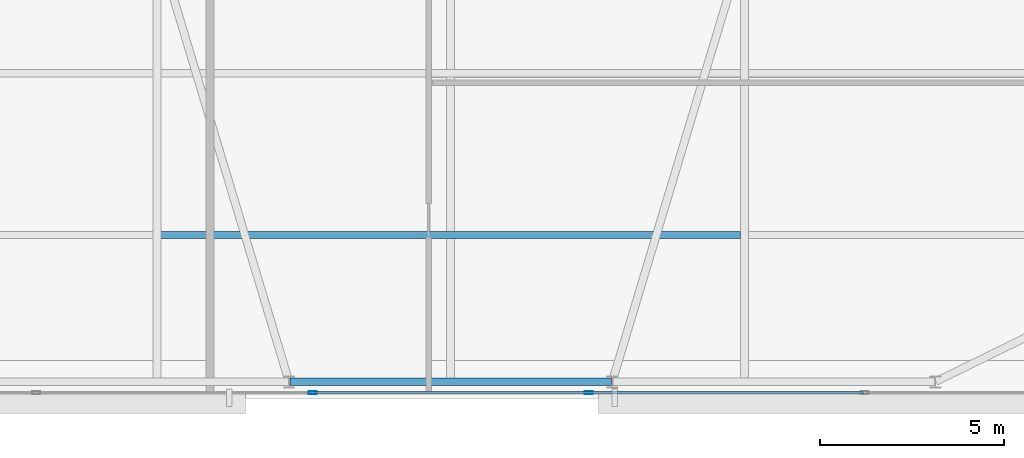
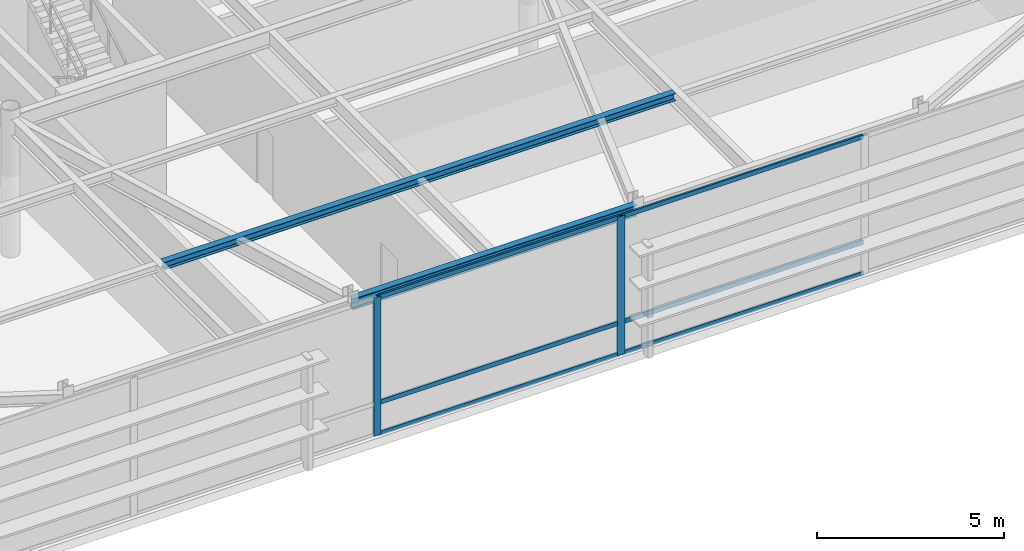
# One storey, part 8 of 21: 8 members, 2 beams, 1 element without a shape of its own.
"""IFC4 building model written with IfcOpenShell, lengths in metres."""

from ifc_helpers import new_model, si_unit, direction, frame, origin, origin_2d, place, context, subcontext, project, spatial, hollow_rectangle, i_section, extrude, source, transform, mapped, material, layer, layer_set, material_profile, profile_set, type_object, type_shapes, element, aggregate, save


model = new_model("IFC4")

# Units and contexts
model_context = context("Model", 3, precision=1e-05, world=origin(), true_north=direction((0.0, 1.0)))
body_context = subcontext(model_context, "Body", "Model", "MODEL_VIEW")
ifc_project = project(units=[si_unit("LENGTHUNIT", "METRE"), si_unit("AREAUNIT", "SQUARE_METRE"), si_unit("VOLUMEUNIT", "CUBIC_METRE"), si_unit("PLANEANGLEUNIT", "RADIAN"), si_unit("MASSUNIT", "GRAM", prefix="KILO")], contexts=[model_context])

# Site, building, storey
site_placement = place(None, origin())
site = spatial("IfcSite", under=ifc_project, at=site_placement, CompositionType="ELEMENT")
building_placement = place(site_placement, origin())
building = spatial("IfcBuilding", under=site, at=building_placement, Name="Varnel Quay Broadcast Tower", CompositionType="ELEMENT")
storey_placement = place(building_placement, frame((0.0, 0.0, 300.199951171875)))
storey = spatial("IfcBuildingStorey", under=building, at=storey_placement, Name="L75", CompositionType="ELEMENT", Elevation=300.199951171875)

# Beams
ifc_material_1 = material(Name="Structural Steel CSA G40.21 350W", Category="steel")
ifc_material_profile_1 = material_profile(ifc_material_1, i_section(OverallWidth=0.205078125, OverallDepth=0.35400390625, WebThickness=0.009521484375, FlangeThickness=0.016845703125, FilletRadius=0.012939453125, at=origin_2d()), Name="W360X79")
ifc_profile_set_1 = profile_set([ifc_material_profile_1], Name="Structural Steel CSA G40.21 350W")
beam_type_1 = type_object("IfcBeamType", Name="Beam_W360X79", PredefinedType="SPANDREL", material=ifc_profile_set_1)
shared_shape_1 = source(origin(), body_context, "Body", "SweptSolid", [
    extrude(i_section(OverallWidth=0.205078125, OverallDepth=0.35400390625, WebThickness=0.009521484375, FlangeThickness=0.016845703125, FilletRadius=0.012939453125, at=origin_2d()), origin(), (0.0, 0.0, 1.0), 8.759765625),
])
type_shapes(beam_type_1, [shared_shape_1])
beam_1_placement = place(storey_placement, frame((29.6201171875, 13.64990234375, 4.343017578125), z_axis=(1.0, 0.0, 0.0), x_axis=(0.0, 1.0, 0.0)))
element("IfcBeam", 1, at=beam_1_placement, inside=storey, type_object=beam_type_1, Name="L75 South Spandrel TC-S2-TC-S3", PredefinedType="SPANDREL", context=body_context, shape_type="MappedRepresentation", body=[
    mapped(shared_shape_1, transform((0.0, 0.0, 0.0), x_axis=(1.0, 0.0, 0.0), y_axis=(0.0, 1.0, 0.0), z_axis=(0.0, 0.0, 1.0), scale=1.0)),
])
ifc_material_profile_2 = material_profile(ifc_material_1, i_section(OverallWidth=0.201904296875, OverallDepth=0.2470703125, WebThickness=0.00732421875, FlangeThickness=0.010986328125, FilletRadius=0.010986328125, at=origin_2d()), Name="W250X49")
ifc_profile_set_2 = profile_set([ifc_material_profile_2], Name="Structural Steel CSA G40.21 350W")
beam_type_2 = type_object("IfcBeamType", Name="Beam_W250X49", PredefinedType="JOIST", material=ifc_profile_set_2)
shared_shape_2 = source(origin(), body_context, "Body", "SweptSolid", [
    extrude(i_section(OverallWidth=0.201904296875, OverallDepth=0.2470703125, WebThickness=0.00732421875, FlangeThickness=0.010986328125, FilletRadius=0.010986328125, at=origin_2d()), origin(), (0.0, 0.0, 1.0), 15.7978515625),
])
type_shapes(beam_type_2, [shared_shape_2])
beam_2_placement = place(storey_placement, frame((26.10107421875, 17.64990234375, 4.396484375), z_axis=(1.0, 0.0, 0.0), x_axis=(0.0, 1.0, 0.0)))
element("IfcBeam", 2, at=beam_2_placement, inside=storey, type_object=beam_type_2, Name="L75 Central Floor Joist 1", PredefinedType="JOIST", context=body_context, shape_type="MappedRepresentation", body=[
    mapped(shared_shape_2, transform((0.0, 0.0, 0.0), x_axis=(1.0, 0.0, 0.0), y_axis=(0.0, 1.0, 0.0), z_axis=(0.0, 0.0, 1.0), scale=1.0)),
])

# Curtain wall, members
ifc_material_2 = material(Name="Anodised Bronze Aluminium 6063-T6", Category="aluminium")
ifc_layer = layer(ifc_material_2, 0.18994140625, Name="Anodised Bronze Aluminium 6063-T6")
ifc_layer_set = layer_set([ifc_layer], Name="Anodised Bronze Aluminium 6063-T6")
curtain_wall_type = type_object("IfcCurtainWallType", Name="CW_SkyObsHighVis", PredefinedType="NOTDEFINED", material=ifc_layer_set)
curtain_wall_placement = place(storey_placement, origin())
curtain_wall = element("IfcCurtainWall", 3, at=curtain_wall_placement, inside=storey, type_object=curtain_wall_type, Name="L75 South Unitised Curtain Wall 1", PredefinedType="NOTDEFINED")
ifc_material_profile_3 = material_profile(ifc_material_2, hollow_rectangle(XDim=0.074951171875, YDim=0.219970703125, WallThickness=0.00390625, at=origin_2d()), Name="ALU75X220X4")
ifc_profile_set_3 = profile_set([ifc_material_profile_3], Name="Anodised Bronze Aluminium 6063-T6")
member_type_1 = type_object("IfcMemberType", Name="Mull_CWS-05", PredefinedType="MULLION", material=ifc_profile_set_3)
shared_shape_3 = source(origin(), body_context, "Body", "SweptSolid", [
    extrude(hollow_rectangle(XDim=0.074951171875, YDim=0.219970703125, WallThickness=0.00390625, at=origin_2d()), origin(), (0.0, 0.0, 1.0), 4.52001953125),
])
type_shapes(member_type_1, [shared_shape_3])
member_1_placement = place(storey_placement, frame((30.239990234375, 13.35009765625, 0.0), z_axis=(0.0, 0.0, 1.0), x_axis=(0.0, 1.0, 0.0)))
member_1 = element("IfcMember", 4, at=member_1_placement, type_object=member_type_1, Name="CWS-05 mullion 3", PredefinedType="MULLION", context=body_context, shape_type="MappedRepresentation", body=[
    mapped(shared_shape_3, transform((0.0, 0.0, 0.0), x_axis=(1.0, 0.0, 0.0), y_axis=(0.0, 1.0, 0.0), z_axis=(0.0, 0.0, 1.0), scale=1.0)),
])
member_2_placement = place(storey_placement, frame((37.760009765625, 13.35009765625, 0.0), z_axis=(0.0, 0.0, 1.0), x_axis=(0.0, 1.0, 0.0)))
member_2 = element("IfcMember", 5, at=member_2_placement, type_object=member_type_1, Name="CWS-05 mullion 4", PredefinedType="MULLION", context=body_context, shape_type="MappedRepresentation", body=[
    mapped(shared_shape_3, transform((0.0, 0.0, 0.0), x_axis=(1.0, 0.0, 0.0), y_axis=(0.0, 1.0, 0.0), z_axis=(0.0, 0.0, 1.0), scale=1.0)),
])
ifc_material_profile_4 = material_profile(ifc_material_2, hollow_rectangle(XDim=0.06005859375, YDim=0.14501953125, WallThickness=0.00341796875, at=origin_2d()), Name="ALU60X145X3.5")
ifc_profile_set_4 = profile_set([ifc_material_profile_4], Name="Anodised Bronze Aluminium 6063-T6")
member_type_2 = type_object("IfcMemberType", Name="Tran_CWS-05", PredefinedType="USERDEFINED", material=ifc_profile_set_4)
shared_shape_4 = source(origin(), body_context, "Body", "SweptSolid", [
    extrude(hollow_rectangle(XDim=0.06005859375, YDim=0.14501953125, WallThickness=0.00341796875, at=origin_2d()), origin(), (0.0, 0.0, 1.0), 7.44482421875),
])
type_shapes(member_type_2, [shared_shape_4])
member_3_placement = place(storey_placement, frame((30.277587890625, 13.35009765625, 0.030029296875), z_axis=(1.0, 0.0, 0.0), x_axis=(0.0, 1.0, 0.0)))
member_3 = element("IfcMember", 6, at=member_3_placement, type_object=member_type_2, Name="CWS-05 transom 3.1", ObjectType="TRANSOM", PredefinedType="USERDEFINED", context=body_context, shape_type="MappedRepresentation", body=[
    mapped(shared_shape_4, transform((0.0, 0.0, 0.0), x_axis=(1.0, 0.0, 0.0), y_axis=(0.0, 1.0, 0.0), z_axis=(0.0, 0.0, 1.0), scale=1.0)),
])
member_4_placement = place(storey_placement, frame((30.277587890625, 13.35009765625, 1.050048828125), z_axis=(1.0, 0.0, 0.0), x_axis=(0.0, 1.0, 0.0)))
member_4 = element("IfcMember", 7, at=member_4_placement, type_object=member_type_2, Name="CWS-05 transom 3.2", ObjectType="TRANSOM", PredefinedType="USERDEFINED", context=body_context, shape_type="MappedRepresentation", body=[
    mapped(shared_shape_4, transform((0.0, 0.0, 0.0), x_axis=(1.0, 0.0, 0.0), y_axis=(0.0, 1.0, 0.0), z_axis=(0.0, 0.0, 1.0), scale=1.0)),
])
member_5_placement = place(storey_placement, frame((30.277587890625, 13.35009765625, 4.489990234375), z_axis=(1.0, 0.0, 0.0), x_axis=(0.0, 1.0, 0.0)))
member_5 = element("IfcMember", 8, at=member_5_placement, type_object=member_type_2, Name="CWS-05 transom 3.3", ObjectType="TRANSOM", PredefinedType="USERDEFINED", context=body_context, shape_type="MappedRepresentation", body=[
    mapped(shared_shape_4, transform((0.0, 0.0, 0.0), x_axis=(1.0, 0.0, 0.0), y_axis=(0.0, 1.0, 0.0), z_axis=(0.0, 0.0, 1.0), scale=1.0)),
])
member_6_placement = place(storey_placement, frame((37.797607421875, 13.35009765625, 0.030029296875), z_axis=(1.0, 0.0, 0.0), x_axis=(0.0, 1.0, 0.0)))
member_6 = element("IfcMember", 9, at=member_6_placement, type_object=member_type_2, Name="CWS-05 transom 4.1", ObjectType="TRANSOM", PredefinedType="USERDEFINED", context=body_context, shape_type="MappedRepresentation", body=[
    mapped(shared_shape_4, transform((0.0, 0.0, 0.0), x_axis=(1.0, 0.0, 0.0), y_axis=(0.0, 1.0, 0.0), z_axis=(0.0, 0.0, 1.0), scale=1.0)),
])
member_7_placement = place(storey_placement, frame((37.797607421875, 13.35009765625, 1.050048828125), z_axis=(1.0, 0.0, 0.0), x_axis=(0.0, 1.0, 0.0)))
member_7 = element("IfcMember", 10, at=member_7_placement, type_object=member_type_2, Name="CWS-05 transom 4.2", ObjectType="TRANSOM", PredefinedType="USERDEFINED", context=body_context, shape_type="MappedRepresentation", body=[
    mapped(shared_shape_4, transform((0.0, 0.0, 0.0), x_axis=(1.0, 0.0, 0.0), y_axis=(0.0, 1.0, 0.0), z_axis=(0.0, 0.0, 1.0), scale=1.0)),
])
member_8_placement = place(storey_placement, frame((37.797607421875, 13.35009765625, 4.489990234375), z_axis=(1.0, 0.0, 0.0), x_axis=(0.0, 1.0, 0.0)))
member_8 = element("IfcMember", 11, at=member_8_placement, type_object=member_type_2, Name="CWS-05 transom 4.3", ObjectType="TRANSOM", PredefinedType="USERDEFINED", context=body_context, shape_type="MappedRepresentation", body=[
    mapped(shared_shape_4, transform((0.0, 0.0, 0.0), x_axis=(1.0, 0.0, 0.0), y_axis=(0.0, 1.0, 0.0), z_axis=(0.0, 0.0, 1.0), scale=1.0)),
])
aggregate(curtain_wall, [member_1, member_2, member_3, member_4, member_5, member_6, member_7, member_8])

save(model, "model.ifc")
